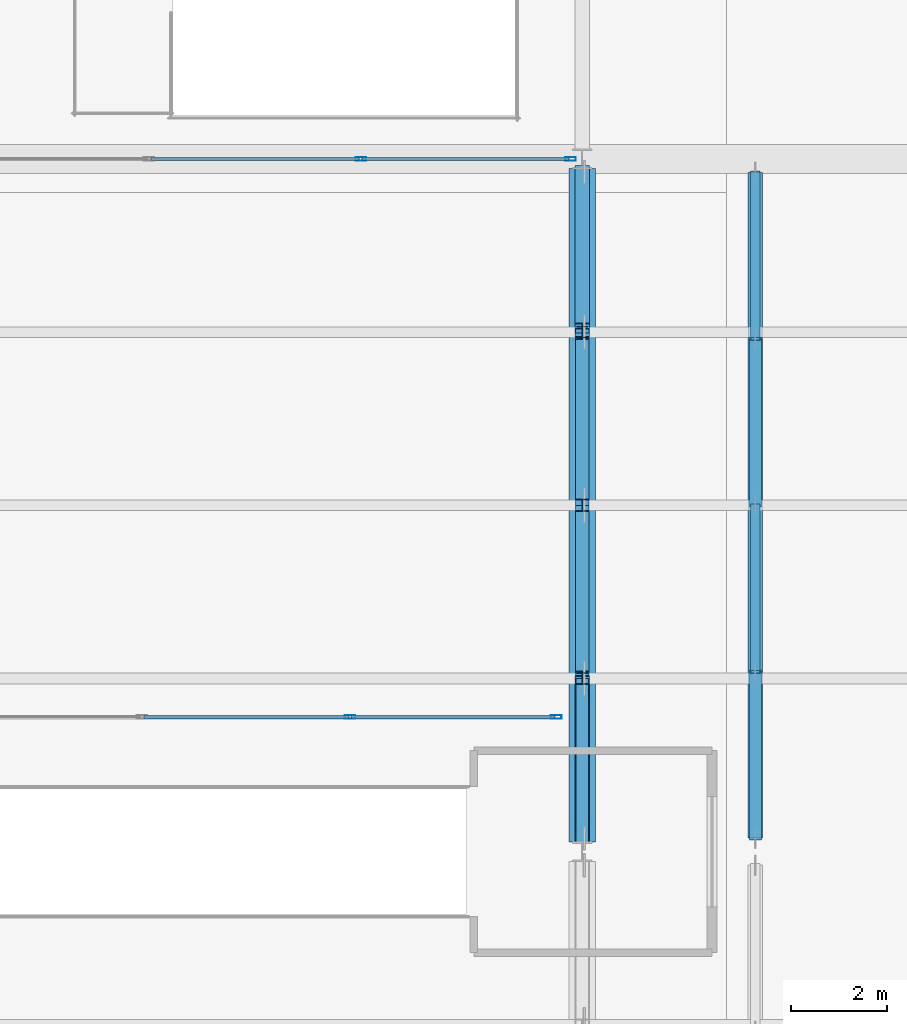
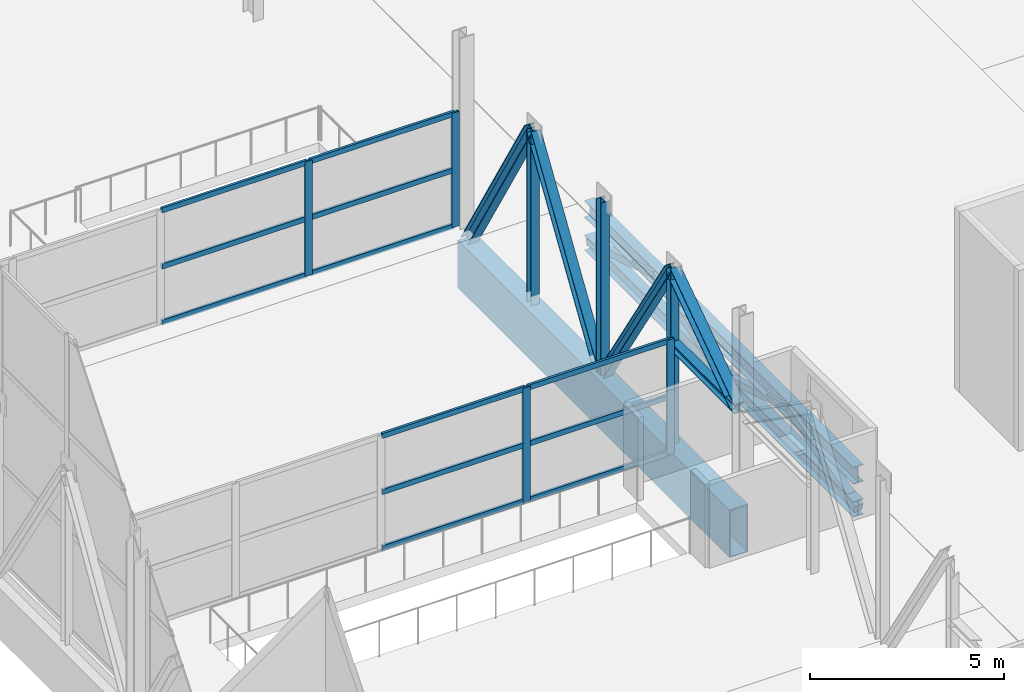
# One storey, part 101 of 191: 28 members, 3 beams, 2 elements without a shape of their own.
"""IFC4 building model written with IfcOpenShell, lengths in metres."""

from ifc_helpers import new_model, si_unit, direction, frame, origin, origin_2d, place, context, subcontext, project, spatial, hollow_rectangle, i_section, extrude, material, layer, layer_set, material_profile, profile_set, type_object, element, aggregate, save


model = new_model("IFC4")

# Units and contexts
model_context = context("Model", 3, precision=1e-05, world=origin(), true_north=direction((0.0, 1.0)))
body_context = subcontext(model_context, "Body", "Model", "MODEL_VIEW")
ifc_project = project(units=[si_unit("LENGTHUNIT", "METRE"), si_unit("AREAUNIT", "SQUARE_METRE"), si_unit("VOLUMEUNIT", "CUBIC_METRE"), si_unit("PLANEANGLEUNIT", "RADIAN"), si_unit("MASSUNIT", "GRAM", prefix="KILO")], contexts=[model_context])

# Site, building, storey
site_placement = place(None, origin())
site = spatial("IfcSite", under=ifc_project, at=site_placement, CompositionType="ELEMENT")
building_placement = place(site_placement, origin())
building = spatial("IfcBuilding", under=site, at=building_placement, Name="Tamarisk Ironworks Central Station", CompositionType="ELEMENT")
storey_placement = place(building_placement, frame((0.0, 0.0, 6.60009765625)))
storey = spatial("IfcBuildingStorey", under=building, at=storey_placement, Name="L01", CompositionType="ELEMENT", Elevation=6.60009765625)

# Beams
ifc_material_1 = material(Name="Structural steel S355J2", Category="steel")
ifc_material_profile_1 = material_profile(ifc_material_1, i_section(OverallWidth=0.300048828125, OverallDepth=0.5400390625, WebThickness=0.012451171875, FlangeThickness=0.02392578125, at=origin_2d()), Name="HEA 550")
ifc_profile_set_1 = profile_set([ifc_material_profile_1], Name="Structural steel S355J2")
beam_type_1 = type_object("IfcBeamType", Name="BM-G04", PredefinedType="BEAM", material=ifc_profile_set_1)
beam_1_placement = place(storey_placement, frame((75.60009765625, 65.080078125, -0.580078125), z_axis=(0.0, 1.0, 0.0), x_axis=(-1.0, 0.0, 0.0)))
element("IfcBeam", 1, at=beam_1_placement, inside=storey, type_object=beam_type_1, Name="Bridge deck transfer stiffening chord 156", PredefinedType="BEAM", context=body_context, shape_type="SweptSolid", body=[
    extrude(i_section(OverallWidth=0.300048828125, OverallDepth=0.5400390625, WebThickness=0.012451171875, FlangeThickness=0.02392578125, at=origin_2d()), origin(), (0.0, 0.0, 1.0), 13.83984375),
])
ifc_material_profile_2 = material_profile(ifc_material_1, i_section(OverallWidth=0.300048828125, OverallDepth=0.489990234375, WebThickness=0.011962890625, FlangeThickness=0.02294921875, at=origin_2d()), Name="HEA 500")
ifc_profile_set_2 = profile_set([ifc_material_profile_2], Name="Structural steel S355J2")
beam_type_2 = type_object("IfcBeamType", Name="BM-G05", PredefinedType="BEAM", material=ifc_profile_set_2)
beam_2_placement = place(storey_placement, frame((75.60009765625, 65.080078125, -1.64013671875), z_axis=(0.0, 1.0, 0.0), x_axis=(-1.0, 0.0, 0.0)))
element("IfcBeam", 2, at=beam_2_placement, inside=storey, type_object=beam_type_2, Name="Bridge deck transfer stiffening chord 155", PredefinedType="BEAM", context=body_context, shape_type="SweptSolid", body=[
    extrude(i_section(OverallWidth=0.300048828125, OverallDepth=0.489990234375, WebThickness=0.011962890625, FlangeThickness=0.02294921875, at=origin_2d()), origin(), (0.0, 0.0, 1.0), 13.83984375),
])
ifc_material_profile_3 = material_profile(ifc_material_1, hollow_rectangle(XDim=0.550048828125, YDim=1.5, WallThickness=0.028076171875, at=origin_2d()), Name="BOX 550x1500x28")
ifc_profile_set_3 = profile_set([ifc_material_profile_3], Name="Structural steel S355J2")
beam_type_3 = type_object("IfcBeamType", Name="BM-TG02", PredefinedType="USERDEFINED", material=ifc_profile_set_3)
beam_3_placement = place(storey_placement, frame((72.0, 65.00048828125, -1.050048828125), z_axis=(0.0, 1.0, 0.0), x_axis=(-1.0, 0.0, 0.0)))
element("IfcBeam", 3, at=beam_3_placement, inside=storey, type_object=beam_type_3, Name="L01 primary girder Y-0219", ObjectType="TRANSFER GIRDER", PredefinedType="USERDEFINED", context=body_context, shape_type="SweptSolid", body=[
    extrude(hollow_rectangle(XDim=0.550048828125, YDim=1.5, WallThickness=0.028076171875, at=origin_2d()), origin(), (0.0, 0.0, 1.0), 13.9990234375),
])

# Curtain wall, members
ifc_material_2 = material(Name="Anodized aluminium alloy 6063-T6", Category="aluminium")
ifc_layer = layer(ifc_material_2, 0.179931640625)
ifc_layer_set = layer_set([ifc_layer], Name="Anodized aluminium alloy 6063-T6")
curtain_wall_type = type_object("IfcCurtainWallType", Name="CW-24", PredefinedType="USERDEFINED", material=ifc_layer_set)
curtain_wall_1_placement = place(storey_placement, origin())
curtain_wall_1 = element("IfcCurtainWall", 4, at=curtain_wall_1_placement, inside=storey, type_object=curtain_wall_type, Name="North bridge west glazed acoustic screen", ObjectType="GLAZED CURTAIN WALL", PredefinedType="USERDEFINED")
ifc_material_profile_4 = material_profile(ifc_material_2, hollow_rectangle(XDim=0.074951171875, YDim=0.219970703125, WallThickness=0.00390625, at=origin_2d()), Name="ALUM 220x75")
ifc_profile_set_4 = profile_set([ifc_material_profile_4], Name="Anodized aluminium alloy 6063-T6")
member_type_1 = type_object("IfcMemberType", Name="CWM-01", PredefinedType="MULLION", material=ifc_profile_set_4)
member_1_placement = place(storey_placement, frame((67.3994140625, 79.199951171875, 0.0), z_axis=(0.0, 0.0, 1.0), x_axis=(0.0, 1.0, 0.0)))
member_1 = element("IfcMember", 5, at=member_1_placement, type_object=member_type_1, Name="CW24 mullion 4", PredefinedType="MULLION", context=body_context, shape_type="SweptSolid", body=[
    extrude(hollow_rectangle(XDim=0.074951171875, YDim=0.219970703125, WallThickness=0.00390625, at=origin_2d()), origin(), (0.0, 0.0, 1.0), 3.599853515625),
])
member_2_placement = place(storey_placement, frame((71.761474609375, 79.199951171875, 0.0), z_axis=(0.0, 0.0, 1.0), x_axis=(0.0, 1.0, 0.0)))
member_2 = element("IfcMember", 6, at=member_2_placement, type_object=member_type_1, Name="CW24 mullion 5", PredefinedType="MULLION", context=body_context, shape_type="SweptSolid", body=[
    extrude(hollow_rectangle(XDim=0.074951171875, YDim=0.219970703125, WallThickness=0.00390625, at=origin_2d()), origin(), (0.0, 0.0, 1.0), 3.599853515625),
])

curtain_wall_2_placement = place(storey_placement, origin())
curtain_wall_2 = element("IfcCurtainWall", 7, at=curtain_wall_2_placement, inside=storey, type_object=curtain_wall_type, Name="North bridge trackside west glazed screen", ObjectType="GLAZED CURTAIN WALL", PredefinedType="USERDEFINED")
member_3_placement = place(storey_placement, frame((67.177001953125, 67.60009765625, 0.0), z_axis=(0.0, 0.0, 1.0), x_axis=(0.0, 1.0, 0.0)))
member_3 = element("IfcMember", 8, at=member_3_placement, type_object=member_type_1, Name="CW24 mullion 4", PredefinedType="MULLION", context=body_context, shape_type="SweptSolid", body=[
    extrude(hollow_rectangle(XDim=0.074951171875, YDim=0.219970703125, WallThickness=0.00390625, at=origin_2d()), origin(), (0.0, 0.0, 1.0), 3.599853515625),
])
member_4_placement = place(storey_placement, frame((71.46240234375, 67.60009765625, 0.0), z_axis=(0.0, 0.0, 1.0), x_axis=(0.0, 1.0, 0.0)))
member_4 = element("IfcMember", 9, at=member_4_placement, type_object=member_type_1, Name="CW24 mullion 5", PredefinedType="MULLION", context=body_context, shape_type="SweptSolid", body=[
    extrude(hollow_rectangle(XDim=0.074951171875, YDim=0.219970703125, WallThickness=0.00390625, at=origin_2d()), origin(), (0.0, 0.0, 1.0), 3.599853515625),
])

# Member
ifc_material_profile_5 = material_profile(ifc_material_2, hollow_rectangle(XDim=0.074951171875, YDim=0.159912109375, WallThickness=0.00390625, at=origin_2d()), Name="ALUM 160x75")
ifc_profile_set_5 = profile_set([ifc_material_profile_5], Name="Anodized aluminium alloy 6063-T6")
member_type_2 = type_object("IfcMemberType", Name="CWT-01", PredefinedType="USERDEFINED", material=ifc_profile_set_5)
member_5_placement = place(storey_placement, frame((63.033447265625, 79.199951171875, 0.037353515625), z_axis=(1.0, 0.0, 0.0), x_axis=(0.0, 1.0, 0.0)))
member_5 = element("IfcMember", 10, at=member_5_placement, type_object=member_type_2, Name="CW24 transom 3.1", ObjectType="TRANSOM", PredefinedType="USERDEFINED", context=body_context, shape_type="SweptSolid", body=[
    extrude(hollow_rectangle(XDim=0.074951171875, YDim=0.159912109375, WallThickness=0.00390625, at=origin_2d()), origin(), (0.0, 0.0, 1.0), 4.33251953125),
])

member_6_placement = place(storey_placement, frame((63.033447265625, 79.199951171875, 1.7998046875), z_axis=(1.0, 0.0, 0.0), x_axis=(0.0, 1.0, 0.0)))
member_6 = element("IfcMember", 11, at=member_6_placement, type_object=member_type_2, Name="CW24 transom 3.2", ObjectType="TRANSOM", PredefinedType="USERDEFINED", context=body_context, shape_type="SweptSolid", body=[
    extrude(hollow_rectangle(XDim=0.074951171875, YDim=0.159912109375, WallThickness=0.00390625, at=origin_2d()), origin(), (0.0, 0.0, 1.0), 4.33251953125),
])

member_7_placement = place(storey_placement, frame((63.033447265625, 79.199951171875, 3.5625), z_axis=(1.0, 0.0, 0.0), x_axis=(0.0, 1.0, 0.0)))
member_7 = element("IfcMember", 12, at=member_7_placement, type_object=member_type_2, Name="CW24 transom 3.3", ObjectType="TRANSOM", PredefinedType="USERDEFINED", context=body_context, shape_type="SweptSolid", body=[
    extrude(hollow_rectangle(XDim=0.074951171875, YDim=0.159912109375, WallThickness=0.00390625, at=origin_2d()), origin(), (0.0, 0.0, 1.0), 4.33251953125),
])

member_8_placement = place(storey_placement, frame((67.43310546875, 79.199951171875, 0.037353515625), z_axis=(1.0, 0.0, 0.0), x_axis=(0.0, 1.0, 0.0)))
member_8 = element("IfcMember", 13, at=member_8_placement, type_object=member_type_2, Name="CW24 transom 4.1", ObjectType="TRANSOM", PredefinedType="USERDEFINED", context=body_context, shape_type="SweptSolid", body=[
    extrude(hollow_rectangle(XDim=0.074951171875, YDim=0.159912109375, WallThickness=0.00390625, at=origin_2d()), origin(), (0.0, 0.0, 1.0), 4.294921875),
])

member_9_placement = place(storey_placement, frame((67.43310546875, 79.199951171875, 1.7998046875), z_axis=(1.0, 0.0, 0.0), x_axis=(0.0, 1.0, 0.0)))
member_9 = element("IfcMember", 14, at=member_9_placement, type_object=member_type_2, Name="CW24 transom 4.2", ObjectType="TRANSOM", PredefinedType="USERDEFINED", context=body_context, shape_type="SweptSolid", body=[
    extrude(hollow_rectangle(XDim=0.074951171875, YDim=0.159912109375, WallThickness=0.00390625, at=origin_2d()), origin(), (0.0, 0.0, 1.0), 4.294921875),
])

member_10_placement = place(storey_placement, frame((67.43310546875, 79.199951171875, 3.5625), z_axis=(1.0, 0.0, 0.0), x_axis=(0.0, 1.0, 0.0)))
member_10 = element("IfcMember", 15, at=member_10_placement, type_object=member_type_2, Name="CW24 transom 4.3", ObjectType="TRANSOM", PredefinedType="USERDEFINED", context=body_context, shape_type="SweptSolid", body=[
    extrude(hollow_rectangle(XDim=0.074951171875, YDim=0.159912109375, WallThickness=0.00390625, at=origin_2d()), origin(), (0.0, 0.0, 1.0), 4.294921875),
])

aggregate(curtain_wall_1, [member_1, member_2, member_5, member_6, member_7, member_8, member_9, member_10])

member_11_placement = place(storey_placement, frame((62.887451171875, 67.60009765625, 0.037353515625), z_axis=(1.0, 0.0, 0.0), x_axis=(0.0, 1.0, 0.0)))
member_11 = element("IfcMember", 16, at=member_11_placement, type_object=member_type_2, Name="CW24 transom 3.1", ObjectType="TRANSOM", PredefinedType="USERDEFINED", context=body_context, shape_type="SweptSolid", body=[
    extrude(hollow_rectangle(XDim=0.074951171875, YDim=0.159912109375, WallThickness=0.00390625, at=origin_2d()), origin(), (0.0, 0.0, 1.0), 4.256103515625),
])

member_12_placement = place(storey_placement, frame((62.887451171875, 67.60009765625, 1.7998046875), z_axis=(1.0, 0.0, 0.0), x_axis=(0.0, 1.0, 0.0)))
member_12 = element("IfcMember", 17, at=member_12_placement, type_object=member_type_2, Name="CW24 transom 3.2", ObjectType="TRANSOM", PredefinedType="USERDEFINED", context=body_context, shape_type="SweptSolid", body=[
    extrude(hollow_rectangle(XDim=0.074951171875, YDim=0.159912109375, WallThickness=0.00390625, at=origin_2d()), origin(), (0.0, 0.0, 1.0), 4.256103515625),
])

member_13_placement = place(storey_placement, frame((62.887451171875, 67.60009765625, 3.5625), z_axis=(1.0, 0.0, 0.0), x_axis=(0.0, 1.0, 0.0)))
member_13 = element("IfcMember", 18, at=member_13_placement, type_object=member_type_2, Name="CW24 transom 3.3", ObjectType="TRANSOM", PredefinedType="USERDEFINED", context=body_context, shape_type="SweptSolid", body=[
    extrude(hollow_rectangle(XDim=0.074951171875, YDim=0.159912109375, WallThickness=0.00390625, at=origin_2d()), origin(), (0.0, 0.0, 1.0), 4.256103515625),
])

member_14_placement = place(storey_placement, frame((67.21044921875, 67.60009765625, 0.037353515625), z_axis=(1.0, 0.0, 0.0), x_axis=(0.0, 1.0, 0.0)))
member_14 = element("IfcMember", 19, at=member_14_placement, type_object=member_type_2, Name="CW24 transom 4.1", ObjectType="TRANSOM", PredefinedType="USERDEFINED", context=body_context, shape_type="SweptSolid", body=[
    extrude(hollow_rectangle(XDim=0.074951171875, YDim=0.159912109375, WallThickness=0.00390625, at=origin_2d()), origin(), (0.0, 0.0, 1.0), 4.218505859375),
])

member_15_placement = place(storey_placement, frame((67.21044921875, 67.60009765625, 1.7998046875), z_axis=(1.0, 0.0, 0.0), x_axis=(0.0, 1.0, 0.0)))
member_15 = element("IfcMember", 20, at=member_15_placement, type_object=member_type_2, Name="CW24 transom 4.2", ObjectType="TRANSOM", PredefinedType="USERDEFINED", context=body_context, shape_type="SweptSolid", body=[
    extrude(hollow_rectangle(XDim=0.074951171875, YDim=0.159912109375, WallThickness=0.00390625, at=origin_2d()), origin(), (0.0, 0.0, 1.0), 4.218505859375),
])

member_16_placement = place(storey_placement, frame((67.21044921875, 67.60009765625, 3.5625), z_axis=(1.0, 0.0, 0.0), x_axis=(0.0, 1.0, 0.0)))
member_16 = element("IfcMember", 21, at=member_16_placement, type_object=member_type_2, Name="CW24 transom 4.3", ObjectType="TRANSOM", PredefinedType="USERDEFINED", context=body_context, shape_type="SweptSolid", body=[
    extrude(hollow_rectangle(XDim=0.074951171875, YDim=0.159912109375, WallThickness=0.00390625, at=origin_2d()), origin(), (0.0, 0.0, 1.0), 4.218505859375),
])

aggregate(curtain_wall_2, [member_3, member_4, member_11, member_12, member_13, member_14, member_15, member_16])

# Members
ifc_material_3 = material(Name="Structural steel S355J2H", Category="steel")
ifc_material_profile_6 = material_profile(ifc_material_3, hollow_rectangle(XDim=0.25, YDim=0.25, WallThickness=0.012451171875, at=origin_2d()), Name="SHS 250x250x12.5")
ifc_profile_set_6 = profile_set([ifc_material_profile_6], Name="Structural steel S355J2H")
member_type_3 = type_object("IfcMemberType", Name="MB-BR01", PredefinedType="BRACE", material=ifc_profile_set_6)
for number, where, z_axis, x_axis, name in (
    (22, (75.60009765625, 65.080078125, -1.64013671875), (0.0, 0.956131332595, 0.292938346467), (-1.0, 0.0, 0.0), "Bridge deck stiffening web brace 157"),
    (23, (75.60009765625, 72.0, -1.64013671875), (0.0, 0.956131332595, 0.292938346467), (-1.0, 0.0, 0.0), "Bridge deck stiffening web brace 159"),
):
    element("IfcMember", number, at=place(storey_placement, frame(where, z_axis=z_axis, x_axis=x_axis)), inside=storey, type_object=member_type_3, Name=name, PredefinedType="BRACE", context=body_context, shape_type="SweptSolid", body=[
        extrude(hollow_rectangle(XDim=0.25, YDim=0.25, WallThickness=0.012451171875, at=origin_2d()), origin(), (0.0, 0.0, 1.0), 3.61865234375),
    ])
ifc_material_profile_7 = material_profile(ifc_material_3, hollow_rectangle(XDim=0.199951171875, YDim=0.199951171875, WallThickness=0.010009765625, at=origin_2d()), Name="SHS 200x200x10")
ifc_profile_set_7 = profile_set([ifc_material_profile_7], Name="Structural steel S355J2H")
member_type_4 = type_object("IfcMemberType", Name="MB-BR02", PredefinedType="BRACE", material=ifc_profile_set_7)
for number, where, z_axis, x_axis, name in (
    (24, (75.60009765625, 68.5400390625, -0.580078125), (0.0, 0.956131332595, -0.292938346467), (-1.0, 0.0, 0.0), "Bridge deck stiffening web brace 158"),
    (25, (75.60009765625, 75.4599609375, -0.580078125), (0.0, 0.956131332595, -0.292938346467), (-1.0, 0.0, 0.0), "Bridge deck stiffening web brace 160"),
):
    element("IfcMember", number, at=place(storey_placement, frame(where, z_axis=z_axis, x_axis=x_axis)), inside=storey, type_object=member_type_4, Name=name, PredefinedType="BRACE", context=body_context, shape_type="SweptSolid", body=[
        extrude(hollow_rectangle(XDim=0.199951171875, YDim=0.199951171875, WallThickness=0.010009765625, at=origin_2d()), origin(), (0.0, 0.0, 1.0), 3.61865234375),
    ])
ifc_material_profile_8 = material_profile(ifc_material_1, i_section(OverallWidth=0.300048828125, OverallDepth=0.340087890625, WebThickness=0.011962890625, FlangeThickness=0.021484375, at=origin_2d()), Name="HEB 340")
ifc_profile_set_8 = profile_set([ifc_material_profile_8], Name="Structural steel S355J2")
member_type_5 = type_object("IfcMemberType", Name="MB-TTD01", PredefinedType="BRACE", material=ifc_profile_set_8)
member_17_placement = place(storey_placement, frame((72.0, 65.080078125, 2.83984375), z_axis=(0.0, 0.821108198798, 0.570772569302), x_axis=(-1.0, 0.0, 0.0)))
element("IfcMember", 26, at=member_17_placement, inside=storey, type_object=member_type_5, Name="Transfer truss diagonal 050", PredefinedType="BRACE", context=body_context, shape_type="SweptSolid", body=[
    extrude(i_section(OverallWidth=0.300048828125, OverallDepth=0.340087890625, WebThickness=0.011962890625, FlangeThickness=0.021484375, at=origin_2d()), origin(), (0.0, 0.0, 1.0), 3.99462890625),
])
member_18_placement = place(storey_placement, frame((72.0, 75.639892578125, 5.119873046875), z_axis=(0.0, 0.512200847378, -0.858865700762), x_axis=(-1.0, 0.0, 0.0)))
element("IfcMember", 27, at=member_18_placement, inside=storey, type_object=member_type_5, Name="Transfer truss diagonal 055", PredefinedType="BRACE", context=body_context, shape_type="SweptSolid", body=[
    extrude(i_section(OverallWidth=0.300048828125, OverallDepth=0.340087890625, WebThickness=0.011962890625, FlangeThickness=0.021484375, at=origin_2d()), origin(), (0.0, 0.0, 1.0), 6.40380859375),
])
ifc_material_profile_9 = material_profile(ifc_material_1, i_section(OverallWidth=0.280029296875, OverallDepth=0.280029296875, WebThickness=0.010498046875, FlangeThickness=0.01806640625, at=origin_2d()), Name="HEB 280")
ifc_profile_set_9 = profile_set([ifc_material_profile_9], Name="Structural steel S355J2")
member_type_6 = type_object("IfcMemberType", Name="MB-TTD02", PredefinedType="BRACE", material=ifc_profile_set_9)
for number, where, z_axis, x_axis, name in (
    (28, (72.0, 68.43994140625, 5.119873046875), (0.0, 0.539055818311, -0.842270042649), (-1.0, 0.0, 0.0), "Transfer truss diagonal 051"),
    (29, (72.0, 72.0400390625, -0.380126953125), (0.0, 0.539055818311, 0.842270042649), (-1.0, 0.0, 0.0), "Transfer truss diagonal 053"),
):
    element("IfcMember", number, at=place(storey_placement, frame(where, z_axis=z_axis, x_axis=x_axis)), inside=storey, type_object=member_type_6, Name=name, PredefinedType="BRACE", context=body_context, shape_type="SweptSolid", body=[
        extrude(i_section(OverallWidth=0.280029296875, OverallDepth=0.280029296875, WebThickness=0.010498046875, FlangeThickness=0.01806640625, at=origin_2d()), origin(), (0.0, 0.0, 1.0), 6.530029296875),
    ])
ifc_material_profile_10 = material_profile(ifc_material_1, i_section(OverallWidth=0.260009765625, OverallDepth=0.260009765625, WebThickness=0.010009765625, FlangeThickness=0.017578125, at=origin_2d()), Name="HEB 260")
ifc_profile_set_10 = profile_set([ifc_material_profile_10], Name="Structural steel S355J2")
member_type_7 = type_object("IfcMemberType", Name="MB-TTP01", PredefinedType="POST", material=ifc_profile_set_10)
member_19_placement = place(storey_placement, frame((72.0, 65.0, 2.7998046875), z_axis=(0.0, 1.0, 0.0), x_axis=(-1.0, 0.0, 0.0)))
element("IfcMember", 30, at=member_19_placement, inside=storey, type_object=member_type_7, Name="Transfer truss portal chord 07", PredefinedType="POST", context=body_context, shape_type="SweptSolid", body=[
    extrude(i_section(OverallWidth=0.260009765625, OverallDepth=0.260009765625, WebThickness=0.010009765625, FlangeThickness=0.017578125, at=origin_2d()), origin(), (0.0, 0.0, 1.0), 3.39990234375),
])
member_20_placement = place(storey_placement, frame((72.0, 72.0, -0.340087890625), z_axis=(0.0, 0.0, 1.0), x_axis=(1.0, 0.0, 0.0)))
element("IfcMember", 31, at=member_20_placement, inside=storey, type_object=member_type_7, Name="Transfer truss vertical post 054", PredefinedType="POST", context=body_context, shape_type="SweptSolid", body=[
    extrude(i_section(OverallWidth=0.260009765625, OverallDepth=0.260009765625, WebThickness=0.010009765625, FlangeThickness=0.017578125, at=origin_2d()), origin(), (0.0, 0.0, 1.0), 5.4599609375),
])
ifc_material_profile_11 = material_profile(ifc_material_1, i_section(OverallWidth=0.239990234375, OverallDepth=0.239990234375, WebThickness=0.010009765625, FlangeThickness=0.01708984375, at=origin_2d()), Name="HEB 240")
ifc_profile_set_11 = profile_set([ifc_material_profile_11], Name="Structural steel S355J2")
member_type_8 = type_object("IfcMemberType", Name="MB-TTP02", PredefinedType="POST", material=ifc_profile_set_11)
for number, where, z_axis, x_axis, name in (
    (32, (72.0, 68.39990234375, -0.340087890625), (0.0, 0.0, 1.0), (1.0, 0.0, 0.0), "Transfer truss vertical post 052"),
    (33, (72.0, 75.60009765625, -0.340087890625), (0.0, 0.0, 1.0), (1.0, 0.0, 0.0), "Transfer truss vertical post 056"),
):
    element("IfcMember", number, at=place(storey_placement, frame(where, z_axis=z_axis, x_axis=x_axis)), inside=storey, type_object=member_type_8, Name=name, PredefinedType="POST", context=body_context, shape_type="SweptSolid", body=[
        extrude(i_section(OverallWidth=0.239990234375, OverallDepth=0.239990234375, WebThickness=0.010009765625, FlangeThickness=0.01708984375, at=origin_2d()), origin(), (0.0, 0.0, 1.0), 5.4599609375),
    ])

save(model, "model.ifc")
